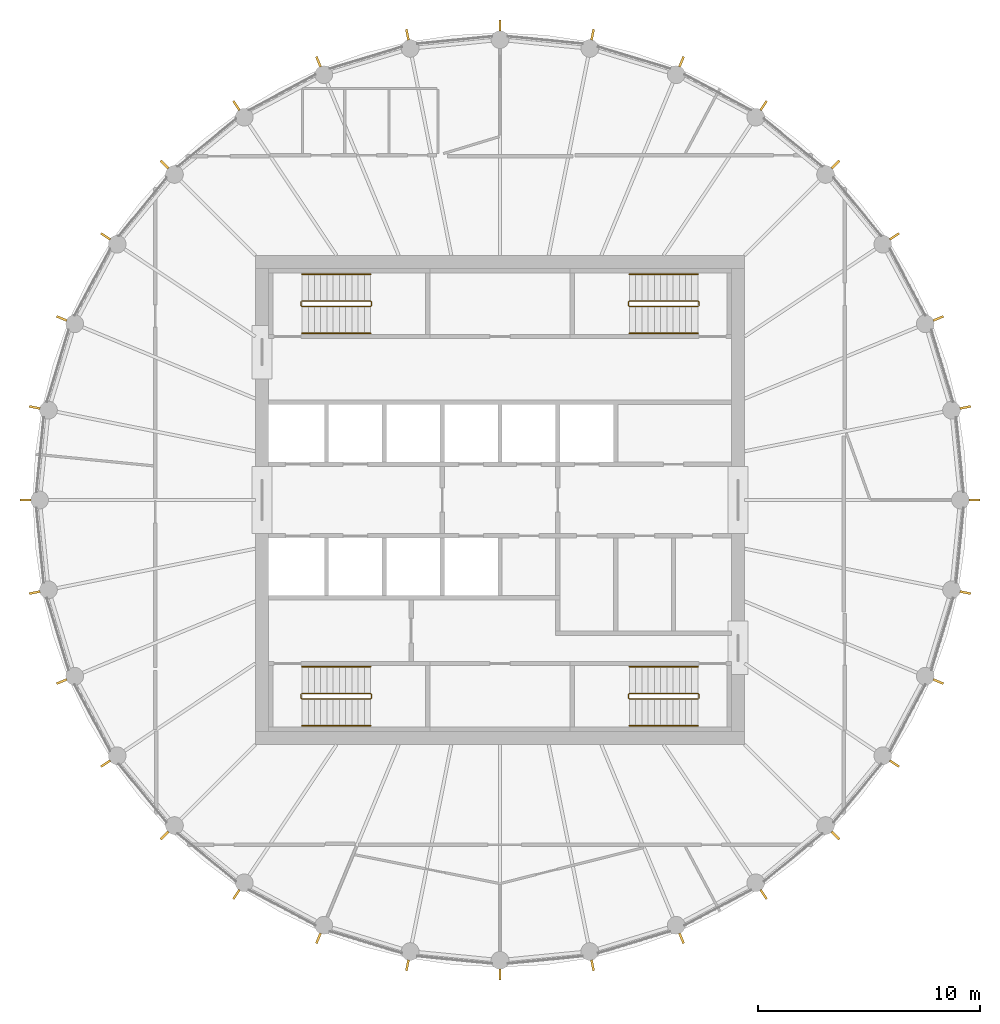
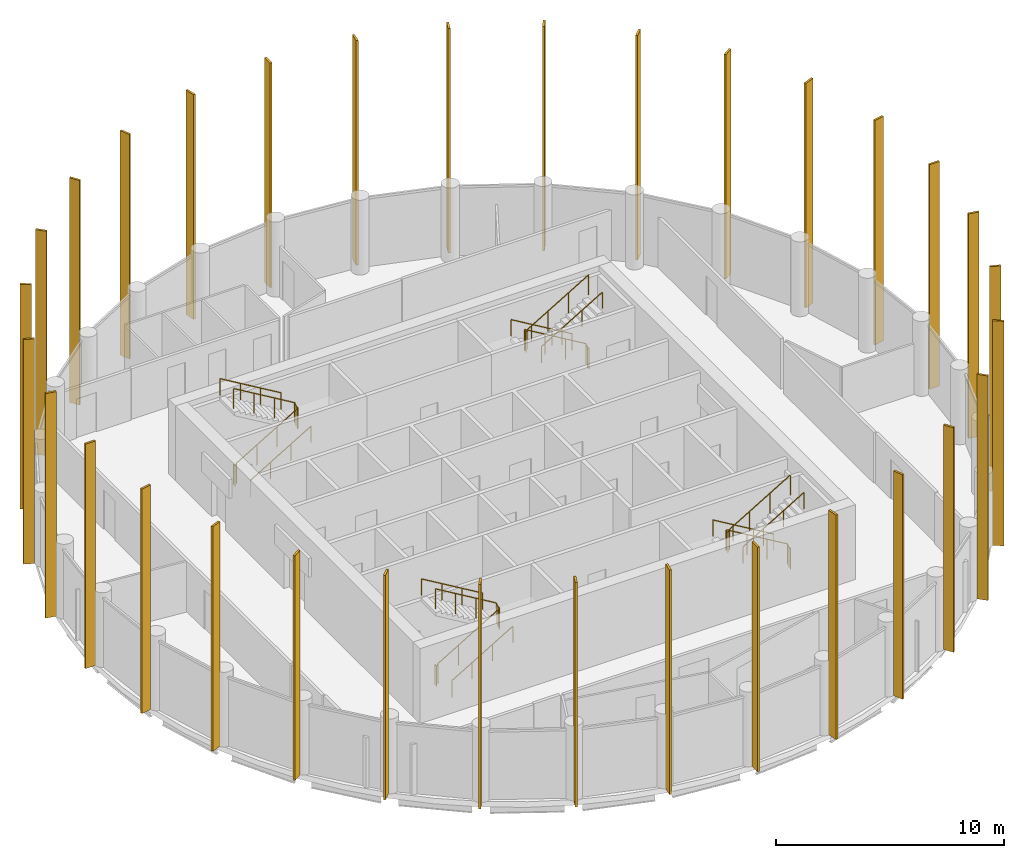
# One storey, part 7 of 7: 32 shading devices, 12 railings.
"""IFC4 building model written with IfcOpenShell, lengths in metres."""

from ifc_helpers import new_model, si_unit, direction, frame, origin, origin_2d, place, context, subcontext, project, spatial, rectangle, circle, extrude, material, material_profile, profile_set, type_object, element, save


model = new_model("IFC4")

# Units and contexts
model_context = context("Model", 3, precision=1e-05, world=origin(), true_north=direction((0.0, 1.0)))
body_context = subcontext(model_context, "Body", "Model", "MODEL_VIEW")
ifc_project = project(units=[si_unit("LENGTHUNIT", "METRE"), si_unit("AREAUNIT", "SQUARE_METRE"), si_unit("VOLUMEUNIT", "CUBIC_METRE"), si_unit("PLANEANGLEUNIT", "RADIAN"), si_unit("MASSUNIT", "GRAM", prefix="KILO")], contexts=[model_context])

# Site, building, storey
site_placement = place(None, origin())
site = spatial("IfcSite", under=ifc_project, at=site_placement, CompositionType="ELEMENT")
building_placement = place(site_placement, origin())
building = spatial("IfcBuilding", under=site, at=building_placement, Name="Corvane Civic Tower", CompositionType="ELEMENT")
storey_placement = place(building_placement, frame((0.0, 0.0, 368.5)))
storey = spatial("IfcBuildingStorey", under=building, at=storey_placement, Name="L88", CompositionType="ELEMENT", Elevation=368.5)

# Railings
ifc_material_1 = material(Name="Steel ASTM A572 Gr 50", Category="steel")
railing_type_1 = type_object("IfcRailingType", Name="ST-GUARD-1100", PredefinedType="GUARDRAIL", material=ifc_material_1)
railing_1_placement = place(storey_placement, frame((8.949951171875, 8.75, 0.0)))
element("IfcRailing", 1, at=railing_1_placement, inside=storey, type_object=railing_type_1, Name="L88 ST1 stair guard 1", PredefinedType="GUARDRAIL", context=body_context, shape_type="SweptSolid", body=[
    extrude(circle(Radius=0.02392578125, at=origin_2d()), frame((0.0, 0.0, 1.076171875), z_axis=(0.0, 1.0, 0.0), x_axis=(-1.0, 0.0, 0.0)), (0.0, 0.0, 1.0), 0.14990234375),
    extrude(circle(Radius=0.02392578125, at=origin_2d()), frame((0.0, 0.14990234375, 1.076171875), z_axis=(-0.27628659633, 0.27628659633, 0.920506074601), x_axis=(-0.707106781187, -0.707106781187, 0.0)), (0.0, 0.0, 1.0), 0.18115234375),
    extrude(circle(Radius=0.02392578125, at=origin_2d()), frame((-0.050048828125, 0.199951171875, 1.24267578125), z_axis=(-0.859290745958, 0.0, 0.51148745235), x_axis=(0.0, -1.0, 0.0)), (0.0, 0.0, 1.0), 3.584228515625),
    extrude(circle(Radius=0.02392578125, at=origin_2d()), frame((-3.1298828125, 0.199951171875, 3.076171875), z_axis=(-0.707106781187, -0.707106781187, 0.0), x_axis=(0.707106781187, -0.707106781187, 0.0)), (0.0, 0.0, 1.0), 0.07080078125),
    extrude(circle(Radius=0.02392578125, at=origin_2d()), frame((-3.179931640625, 0.14990234375, 3.076171875), z_axis=(0.0, -1.0, 0.0), x_axis=(1.0, 0.0, 0.0)), (0.0, 0.0, 1.0), 0.14990234375),
    extrude(circle(Radius=0.02392578125, at=origin_2d()), frame((-3.179931640625, 0.0, 3.076171875), z_axis=(0.27628659633, -0.27628659633, 0.920506074601), x_axis=(0.707106781187, 0.707106781187, 0.0)), (0.0, 0.0, 1.0), 0.18115234375),
    extrude(circle(Radius=0.02392578125, at=origin_2d()), frame((-3.1298828125, -0.050048828125, 3.24267578125), z_axis=(0.859290745958, 0.0, 0.51148745235), x_axis=(0.0, 1.0, 0.0)), (0.0, 0.0, 1.0), 3.584228515625),
    extrude(circle(Radius=0.02099609375, at=origin_2d()), origin(), (0.0, 0.0, 1.0), 1.052001953125),
    extrude(circle(Radius=0.02099609375, at=origin_2d()), frame((0.0, 0.14990234375, 0.0)), (0.0, 0.0, 1.0), 1.052001953125),
    extrude(circle(Radius=0.02099609375, at=origin_2d()), frame((-0.050048828125, 0.199951171875, 0.166748046875)), (0.0, 0.0, 1.0), 1.052001953125),
    extrude(circle(Radius=0.02099609375, at=origin_2d()), frame((-1.07666015625, 0.199951171875, 0.77783203125)), (0.0, 0.0, 1.0), 1.052001953125),
    extrude(circle(Radius=0.02099609375, at=origin_2d()), frame((-2.103271484375, 0.199951171875, 1.388916015625)), (0.0, 0.0, 1.0), 1.052001953125),
    extrude(circle(Radius=0.02099609375, at=origin_2d()), frame((-3.1298828125, 0.199951171875, 2.0)), (0.0, 0.0, 1.0), 1.052001953125),
    extrude(circle(Radius=0.02099609375, at=origin_2d()), frame((-3.179931640625, 0.14990234375, 2.0)), (0.0, 0.0, 1.0), 1.052001953125),
    extrude(circle(Radius=0.02099609375, at=origin_2d()), frame((-3.179931640625, 0.0, 2.0)), (0.0, 0.0, 1.0), 1.052001953125),
    extrude(circle(Radius=0.02099609375, at=origin_2d()), frame((-3.1298828125, -0.050048828125, 2.166748046875)), (0.0, 0.0, 1.0), 1.052001953125),
    extrude(circle(Radius=0.02099609375, at=origin_2d()), frame((-2.103271484375, -0.050048828125, 2.77783203125)), (0.0, 0.0, 1.0), 1.052001953125),
    extrude(circle(Radius=0.02099609375, at=origin_2d()), frame((-1.07666015625, -0.050048828125, 3.388916015625)), (0.0, 0.0, 1.0), 1.052001953125),
    extrude(circle(Radius=0.02099609375, at=origin_2d()), frame((-0.050048828125, -0.050048828125, 4.0)), (0.0, 0.0, 1.0), 1.052001953125),
])
railing_2_placement = place(storey_placement, frame((8.949951171875, -8.89990234375, 0.0)))
element("IfcRailing", 2, at=railing_2_placement, inside=storey, type_object=railing_type_1, Name="L88 ST2 stair guard 1", PredefinedType="GUARDRAIL", context=body_context, shape_type="SweptSolid", body=[
    extrude(circle(Radius=0.02392578125, at=origin_2d()), frame((0.0, 0.0, 1.076171875), z_axis=(0.0, 1.0, 0.0), x_axis=(-1.0, 0.0, 0.0)), (0.0, 0.0, 1.0), 0.14990234375),
    extrude(circle(Radius=0.02392578125, at=origin_2d()), frame((0.0, 0.14990234375, 1.076171875), z_axis=(-0.27628659633, 0.27628659633, 0.920506074601), x_axis=(-0.707106781187, -0.707106781187, 0.0)), (0.0, 0.0, 1.0), 0.18115234375),
    extrude(circle(Radius=0.02392578125, at=origin_2d()), frame((-0.050048828125, 0.199951171875, 1.24267578125), z_axis=(-0.859290745958, 0.0, 0.51148745235), x_axis=(0.0, -1.0, 0.0)), (0.0, 0.0, 1.0), 3.584228515625),
    extrude(circle(Radius=0.02392578125, at=origin_2d()), frame((-3.1298828125, 0.199951171875, 3.076171875), z_axis=(-0.707106781187, -0.707106781187, 0.0), x_axis=(0.707106781187, -0.707106781187, 0.0)), (0.0, 0.0, 1.0), 0.07080078125),
    extrude(circle(Radius=0.02392578125, at=origin_2d()), frame((-3.179931640625, 0.14990234375, 3.076171875), z_axis=(0.0, -1.0, 0.0), x_axis=(1.0, 0.0, 0.0)), (0.0, 0.0, 1.0), 0.14990234375),
    extrude(circle(Radius=0.02392578125, at=origin_2d()), frame((-3.179931640625, 0.0, 3.076171875), z_axis=(0.27628659633, -0.27628659633, 0.920506074601), x_axis=(0.707106781187, 0.707106781187, 0.0)), (0.0, 0.0, 1.0), 0.18115234375),
    extrude(circle(Radius=0.02392578125, at=origin_2d()), frame((-3.1298828125, -0.050048828125, 3.24267578125), z_axis=(0.859290745958, 0.0, 0.51148745235), x_axis=(0.0, 1.0, 0.0)), (0.0, 0.0, 1.0), 3.584228515625),
    extrude(circle(Radius=0.02099609375, at=origin_2d()), origin(), (0.0, 0.0, 1.0), 1.052001953125),
    extrude(circle(Radius=0.02099609375, at=origin_2d()), frame((0.0, 0.14990234375, 0.0)), (0.0, 0.0, 1.0), 1.052001953125),
    extrude(circle(Radius=0.02099609375, at=origin_2d()), frame((-0.050048828125, 0.199951171875, 0.166748046875)), (0.0, 0.0, 1.0), 1.052001953125),
    extrude(circle(Radius=0.02099609375, at=origin_2d()), frame((-1.07666015625, 0.199951171875, 0.77783203125)), (0.0, 0.0, 1.0), 1.052001953125),
    extrude(circle(Radius=0.02099609375, at=origin_2d()), frame((-2.103271484375, 0.199951171875, 1.388916015625)), (0.0, 0.0, 1.0), 1.052001953125),
    extrude(circle(Radius=0.02099609375, at=origin_2d()), frame((-3.1298828125, 0.199951171875, 2.0)), (0.0, 0.0, 1.0), 1.052001953125),
    extrude(circle(Radius=0.02099609375, at=origin_2d()), frame((-3.179931640625, 0.14990234375, 2.0)), (0.0, 0.0, 1.0), 1.052001953125),
    extrude(circle(Radius=0.02099609375, at=origin_2d()), frame((-3.179931640625, 0.0, 2.0)), (0.0, 0.0, 1.0), 1.052001953125),
    extrude(circle(Radius=0.02099609375, at=origin_2d()), frame((-3.1298828125, -0.050048828125, 2.166748046875)), (0.0, 0.0, 1.0), 1.052001953125),
    extrude(circle(Radius=0.02099609375, at=origin_2d()), frame((-2.103271484375, -0.050048828125, 2.77783203125)), (0.0, 0.0, 1.0), 1.052001953125),
    extrude(circle(Radius=0.02099609375, at=origin_2d()), frame((-1.07666015625, -0.050048828125, 3.388916015625)), (0.0, 0.0, 1.0), 1.052001953125),
    extrude(circle(Radius=0.02099609375, at=origin_2d()), frame((-0.050048828125, -0.050048828125, 4.0)), (0.0, 0.0, 1.0), 1.052001953125),
])
railing_3_placement = place(storey_placement, frame((-8.949951171875, -8.75, 0.0)))
element("IfcRailing", 3, at=railing_3_placement, inside=storey, type_object=railing_type_1, Name="L88 ST3 stair guard 1", PredefinedType="GUARDRAIL", context=body_context, shape_type="SweptSolid", body=[
    extrude(circle(Radius=0.02392578125, at=origin_2d()), frame((0.0, 0.0, 1.076171875), z_axis=(0.0, -1.0, 0.0), x_axis=(1.0, 0.0, 0.0)), (0.0, 0.0, 1.0), 0.14990234375),
    extrude(circle(Radius=0.02392578125, at=origin_2d()), frame((0.0, -0.14990234375, 1.076171875), z_axis=(0.27628659633, -0.27628659633, 0.920506074601), x_axis=(0.707106781187, 0.707106781187, 0.0)), (0.0, 0.0, 1.0), 0.18115234375),
    extrude(circle(Radius=0.02392578125, at=origin_2d()), frame((0.050048828125, -0.199951171875, 1.24267578125), z_axis=(0.859290745958, 0.0, 0.51148745235), x_axis=(0.0, 1.0, 0.0)), (0.0, 0.0, 1.0), 3.584228515625),
    extrude(circle(Radius=0.02392578125, at=origin_2d()), frame((3.1298828125, -0.199951171875, 3.076171875), z_axis=(0.707106781187, 0.707106781187, 0.0), x_axis=(-0.707106781187, 0.707106781187, 0.0)), (0.0, 0.0, 1.0), 0.07080078125),
    extrude(circle(Radius=0.02392578125, at=origin_2d()), frame((3.179931640625, -0.14990234375, 3.076171875), z_axis=(0.0, 1.0, 0.0), x_axis=(-1.0, 0.0, 0.0)), (0.0, 0.0, 1.0), 0.14990234375),
    extrude(circle(Radius=0.02392578125, at=origin_2d()), frame((3.179931640625, 0.0, 3.076171875), z_axis=(-0.27628659633, 0.27628659633, 0.920506074601), x_axis=(-0.707106781187, -0.707106781187, 0.0)), (0.0, 0.0, 1.0), 0.18115234375),
    extrude(circle(Radius=0.02392578125, at=origin_2d()), frame((3.1298828125, 0.050048828125, 3.24267578125), z_axis=(-0.859290745958, 0.0, 0.51148745235), x_axis=(0.0, -1.0, 0.0)), (0.0, 0.0, 1.0), 3.584228515625),
    extrude(circle(Radius=0.02099609375, at=origin_2d()), origin(), (0.0, 0.0, 1.0), 1.052001953125),
    extrude(circle(Radius=0.02099609375, at=origin_2d()), frame((0.0, -0.14990234375, 0.0)), (0.0, 0.0, 1.0), 1.052001953125),
    extrude(circle(Radius=0.02099609375, at=origin_2d()), frame((0.050048828125, -0.199951171875, 0.166748046875)), (0.0, 0.0, 1.0), 1.052001953125),
    extrude(circle(Radius=0.02099609375, at=origin_2d()), frame((1.07666015625, -0.199951171875, 0.77783203125)), (0.0, 0.0, 1.0), 1.052001953125),
    extrude(circle(Radius=0.02099609375, at=origin_2d()), frame((2.103271484375, -0.199951171875, 1.388916015625)), (0.0, 0.0, 1.0), 1.052001953125),
    extrude(circle(Radius=0.02099609375, at=origin_2d()), frame((3.1298828125, -0.199951171875, 2.0)), (0.0, 0.0, 1.0), 1.052001953125),
    extrude(circle(Radius=0.02099609375, at=origin_2d()), frame((3.179931640625, -0.14990234375, 2.0)), (0.0, 0.0, 1.0), 1.052001953125),
    extrude(circle(Radius=0.02099609375, at=origin_2d()), frame((3.179931640625, 0.0, 2.0)), (0.0, 0.0, 1.0), 1.052001953125),
    extrude(circle(Radius=0.02099609375, at=origin_2d()), frame((3.1298828125, 0.050048828125, 2.166748046875)), (0.0, 0.0, 1.0), 1.052001953125),
    extrude(circle(Radius=0.02099609375, at=origin_2d()), frame((2.103271484375, 0.050048828125, 2.77783203125)), (0.0, 0.0, 1.0), 1.052001953125),
    extrude(circle(Radius=0.02099609375, at=origin_2d()), frame((1.07666015625, 0.050048828125, 3.388916015625)), (0.0, 0.0, 1.0), 1.052001953125),
    extrude(circle(Radius=0.02099609375, at=origin_2d()), frame((0.050048828125, 0.050048828125, 4.0)), (0.0, 0.0, 1.0), 1.052001953125),
])
railing_4_placement = place(storey_placement, frame((-8.949951171875, 8.89990234375, 0.0)))
element("IfcRailing", 4, at=railing_4_placement, inside=storey, type_object=railing_type_1, Name="L88 ST4 stair guard 1", PredefinedType="GUARDRAIL", context=body_context, shape_type="SweptSolid", body=[
    extrude(circle(Radius=0.02392578125, at=origin_2d()), frame((0.0, 0.0, 1.076171875), z_axis=(0.0, -1.0, 0.0), x_axis=(1.0, 0.0, 0.0)), (0.0, 0.0, 1.0), 0.14990234375),
    extrude(circle(Radius=0.02392578125, at=origin_2d()), frame((0.0, -0.14990234375, 1.076171875), z_axis=(0.27628659633, -0.27628659633, 0.920506074601), x_axis=(0.707106781187, 0.707106781187, 0.0)), (0.0, 0.0, 1.0), 0.18115234375),
    extrude(circle(Radius=0.02392578125, at=origin_2d()), frame((0.050048828125, -0.199951171875, 1.24267578125), z_axis=(0.859290745958, 0.0, 0.51148745235), x_axis=(0.0, 1.0, 0.0)), (0.0, 0.0, 1.0), 3.584228515625),
    extrude(circle(Radius=0.02392578125, at=origin_2d()), frame((3.1298828125, -0.199951171875, 3.076171875), z_axis=(0.707106781187, 0.707106781187, 0.0), x_axis=(-0.707106781187, 0.707106781187, 0.0)), (0.0, 0.0, 1.0), 0.07080078125),
    extrude(circle(Radius=0.02392578125, at=origin_2d()), frame((3.179931640625, -0.14990234375, 3.076171875), z_axis=(0.0, 1.0, 0.0), x_axis=(-1.0, 0.0, 0.0)), (0.0, 0.0, 1.0), 0.14990234375),
    extrude(circle(Radius=0.02392578125, at=origin_2d()), frame((3.179931640625, 0.0, 3.076171875), z_axis=(-0.27628659633, 0.27628659633, 0.920506074601), x_axis=(-0.707106781187, -0.707106781187, 0.0)), (0.0, 0.0, 1.0), 0.18115234375),
    extrude(circle(Radius=0.02392578125, at=origin_2d()), frame((3.1298828125, 0.050048828125, 3.24267578125), z_axis=(-0.859290745958, 0.0, 0.51148745235), x_axis=(0.0, -1.0, 0.0)), (0.0, 0.0, 1.0), 3.584228515625),
    extrude(circle(Radius=0.02099609375, at=origin_2d()), origin(), (0.0, 0.0, 1.0), 1.052001953125),
    extrude(circle(Radius=0.02099609375, at=origin_2d()), frame((0.0, -0.14990234375, 0.0)), (0.0, 0.0, 1.0), 1.052001953125),
    extrude(circle(Radius=0.02099609375, at=origin_2d()), frame((0.050048828125, -0.199951171875, 0.166748046875)), (0.0, 0.0, 1.0), 1.052001953125),
    extrude(circle(Radius=0.02099609375, at=origin_2d()), frame((1.07666015625, -0.199951171875, 0.77783203125)), (0.0, 0.0, 1.0), 1.052001953125),
    extrude(circle(Radius=0.02099609375, at=origin_2d()), frame((2.103271484375, -0.199951171875, 1.388916015625)), (0.0, 0.0, 1.0), 1.052001953125),
    extrude(circle(Radius=0.02099609375, at=origin_2d()), frame((3.1298828125, -0.199951171875, 2.0)), (0.0, 0.0, 1.0), 1.052001953125),
    extrude(circle(Radius=0.02099609375, at=origin_2d()), frame((3.179931640625, -0.14990234375, 2.0)), (0.0, 0.0, 1.0), 1.052001953125),
    extrude(circle(Radius=0.02099609375, at=origin_2d()), frame((3.179931640625, 0.0, 2.0)), (0.0, 0.0, 1.0), 1.052001953125),
    extrude(circle(Radius=0.02099609375, at=origin_2d()), frame((3.1298828125, 0.050048828125, 2.166748046875)), (0.0, 0.0, 1.0), 1.052001953125),
    extrude(circle(Radius=0.02099609375, at=origin_2d()), frame((2.103271484375, 0.050048828125, 2.77783203125)), (0.0, 0.0, 1.0), 1.052001953125),
    extrude(circle(Radius=0.02099609375, at=origin_2d()), frame((1.07666015625, 0.050048828125, 3.388916015625)), (0.0, 0.0, 1.0), 1.052001953125),
    extrude(circle(Radius=0.02099609375, at=origin_2d()), frame((0.050048828125, 0.050048828125, 4.0)), (0.0, 0.0, 1.0), 1.052001953125),
])
ifc_material_2 = material(Name="Steel ASTM A572 Gr 50", Category="steel")
railing_type_2 = type_object("IfcRailingType", Name="ST-HANDRAIL-900", PredefinedType="HANDRAIL", material=ifc_material_2)
railing_5_placement = place(storey_placement, frame((8.89990234375, 10.14990234375, 0.166748046875)))
element("IfcRailing", 5, at=railing_5_placement, inside=storey, type_object=railing_type_2, Name="L88 ST1 stair handrail 1", PredefinedType="HANDRAIL", context=body_context, shape_type="SweptSolid", body=[
    extrude(circle(Radius=0.02392578125, at=origin_2d()), frame((0.0, 0.0, 0.8759765625), z_axis=(-0.859290745958, 0.0, 0.51148745235), x_axis=(0.0, -1.0, 0.0)), (0.0, 0.0, 1.0), 3.584228515625),
    extrude(circle(Radius=0.02099609375, at=origin_2d()), origin(), (0.0, 0.0, 1.0), 0.851806640625),
    extrude(circle(Radius=0.02099609375, at=origin_2d()), frame((-1.026611328125, 0.0, 0.611083984375)), (0.0, 0.0, 1.0), 0.851806640625),
    extrude(circle(Radius=0.02099609375, at=origin_2d()), frame((-2.05322265625, 0.0, 1.22216796875)), (0.0, 0.0, 1.0), 0.851806640625),
    extrude(circle(Radius=0.02099609375, at=origin_2d()), frame((-3.079833984375, 0.0, 1.833251953125)), (0.0, 0.0, 1.0), 0.851806640625),
])
railing_6_placement = place(storey_placement, frame((5.820068359375, 7.5, 2.166748046875)))
element("IfcRailing", 6, at=railing_6_placement, inside=storey, type_object=railing_type_2, Name="L88 ST1 stair handrail 2", PredefinedType="HANDRAIL", context=body_context, shape_type="SweptSolid", body=[
    extrude(circle(Radius=0.02392578125, at=origin_2d()), frame((0.0, 0.0, 0.8759765625), z_axis=(0.859290745958, 0.0, 0.51148745235), x_axis=(0.0, 1.0, 0.0)), (0.0, 0.0, 1.0), 3.584228515625),
    extrude(circle(Radius=0.02099609375, at=origin_2d()), origin(), (0.0, 0.0, 1.0), 0.851806640625),
    extrude(circle(Radius=0.02099609375, at=origin_2d()), frame((1.026611328125, 0.0, 0.611083984375)), (0.0, 0.0, 1.0), 0.851806640625),
    extrude(circle(Radius=0.02099609375, at=origin_2d()), frame((2.05322265625, 0.0, 1.22216796875)), (0.0, 0.0, 1.0), 0.851806640625),
    extrude(circle(Radius=0.02099609375, at=origin_2d()), frame((3.079833984375, 0.0, 1.833251953125)), (0.0, 0.0, 1.0), 0.851806640625),
])
railing_7_placement = place(storey_placement, frame((8.89990234375, -7.5, 0.166748046875)))
element("IfcRailing", 7, at=railing_7_placement, inside=storey, type_object=railing_type_2, Name="L88 ST2 stair handrail 1", PredefinedType="HANDRAIL", context=body_context, shape_type="SweptSolid", body=[
    extrude(circle(Radius=0.02392578125, at=origin_2d()), frame((0.0, 0.0, 0.8759765625), z_axis=(-0.859290745958, 0.0, 0.51148745235), x_axis=(0.0, -1.0, 0.0)), (0.0, 0.0, 1.0), 3.584228515625),
    extrude(circle(Radius=0.02099609375, at=origin_2d()), origin(), (0.0, 0.0, 1.0), 0.851806640625),
    extrude(circle(Radius=0.02099609375, at=origin_2d()), frame((-1.026611328125, 0.0, 0.611083984375)), (0.0, 0.0, 1.0), 0.851806640625),
    extrude(circle(Radius=0.02099609375, at=origin_2d()), frame((-2.05322265625, 0.0, 1.22216796875)), (0.0, 0.0, 1.0), 0.851806640625),
    extrude(circle(Radius=0.02099609375, at=origin_2d()), frame((-3.079833984375, 0.0, 1.833251953125)), (0.0, 0.0, 1.0), 0.851806640625),
])
for number, where, name in (
    (8, (5.820068359375, -10.14990234375, 2.166748046875), "L88 ST2 stair handrail 2"),
    (9, (-8.89990234375, -10.14990234375, 0.166748046875), "L88 ST3 stair handrail 1"),
):
    element("IfcRailing", number, at=place(storey_placement, frame(where)), inside=storey, type_object=railing_type_2, Name=name, PredefinedType="HANDRAIL", context=body_context, shape_type="SweptSolid", body=[
        extrude(circle(Radius=0.02392578125, at=origin_2d()), frame((0.0, 0.0, 0.8759765625), z_axis=(0.859290745958, 0.0, 0.51148745235), x_axis=(0.0, 1.0, 0.0)), (0.0, 0.0, 1.0), 3.584228515625),
        extrude(circle(Radius=0.02099609375, at=origin_2d()), origin(), (0.0, 0.0, 1.0), 0.851806640625),
        extrude(circle(Radius=0.02099609375, at=origin_2d()), frame((1.026611328125, 0.0, 0.611083984375)), (0.0, 0.0, 1.0), 0.851806640625),
        extrude(circle(Radius=0.02099609375, at=origin_2d()), frame((2.05322265625, 0.0, 1.22216796875)), (0.0, 0.0, 1.0), 0.851806640625),
        extrude(circle(Radius=0.02099609375, at=origin_2d()), frame((3.079833984375, 0.0, 1.833251953125)), (0.0, 0.0, 1.0), 0.851806640625),
    ])
railing_8_placement = place(storey_placement, frame((-5.820068359375, -7.5, 2.166748046875)))
element("IfcRailing", 10, at=railing_8_placement, inside=storey, type_object=railing_type_2, Name="L88 ST3 stair handrail 2", PredefinedType="HANDRAIL", context=body_context, shape_type="SweptSolid", body=[
    extrude(circle(Radius=0.02392578125, at=origin_2d()), frame((0.0, 0.0, 0.8759765625), z_axis=(-0.859290745958, 0.0, 0.51148745235), x_axis=(0.0, -1.0, 0.0)), (0.0, 0.0, 1.0), 3.584228515625),
    extrude(circle(Radius=0.02099609375, at=origin_2d()), origin(), (0.0, 0.0, 1.0), 0.851806640625),
    extrude(circle(Radius=0.02099609375, at=origin_2d()), frame((-1.026611328125, 0.0, 0.611083984375)), (0.0, 0.0, 1.0), 0.851806640625),
    extrude(circle(Radius=0.02099609375, at=origin_2d()), frame((-2.05322265625, 0.0, 1.22216796875)), (0.0, 0.0, 1.0), 0.851806640625),
    extrude(circle(Radius=0.02099609375, at=origin_2d()), frame((-3.079833984375, 0.0, 1.833251953125)), (0.0, 0.0, 1.0), 0.851806640625),
])
railing_9_placement = place(storey_placement, frame((-8.89990234375, 7.5, 0.166748046875)))
element("IfcRailing", 11, at=railing_9_placement, inside=storey, type_object=railing_type_2, Name="L88 ST4 stair handrail 1", PredefinedType="HANDRAIL", context=body_context, shape_type="SweptSolid", body=[
    extrude(circle(Radius=0.02392578125, at=origin_2d()), frame((0.0, 0.0, 0.8759765625), z_axis=(0.859290745958, 0.0, 0.51148745235), x_axis=(0.0, 1.0, 0.0)), (0.0, 0.0, 1.0), 3.584228515625),
    extrude(circle(Radius=0.02099609375, at=origin_2d()), origin(), (0.0, 0.0, 1.0), 0.851806640625),
    extrude(circle(Radius=0.02099609375, at=origin_2d()), frame((1.026611328125, 0.0, 0.611083984375)), (0.0, 0.0, 1.0), 0.851806640625),
    extrude(circle(Radius=0.02099609375, at=origin_2d()), frame((2.05322265625, 0.0, 1.22216796875)), (0.0, 0.0, 1.0), 0.851806640625),
    extrude(circle(Radius=0.02099609375, at=origin_2d()), frame((3.079833984375, 0.0, 1.833251953125)), (0.0, 0.0, 1.0), 0.851806640625),
])
railing_10_placement = place(storey_placement, frame((-5.820068359375, 10.14990234375, 2.166748046875)))
element("IfcRailing", 12, at=railing_10_placement, inside=storey, type_object=railing_type_2, Name="L88 ST4 stair handrail 2", PredefinedType="HANDRAIL", context=body_context, shape_type="SweptSolid", body=[
    extrude(circle(Radius=0.02392578125, at=origin_2d()), frame((0.0, 0.0, 0.8759765625), z_axis=(-0.859290745958, 0.0, 0.51148745235), x_axis=(0.0, -1.0, 0.0)), (0.0, 0.0, 1.0), 3.584228515625),
    extrude(circle(Radius=0.02099609375, at=origin_2d()), origin(), (0.0, 0.0, 1.0), 0.851806640625),
    extrude(circle(Radius=0.02099609375, at=origin_2d()), frame((-1.026611328125, 0.0, 0.611083984375)), (0.0, 0.0, 1.0), 0.851806640625),
    extrude(circle(Radius=0.02099609375, at=origin_2d()), frame((-2.05322265625, 0.0, 1.22216796875)), (0.0, 0.0, 1.0), 0.851806640625),
    extrude(circle(Radius=0.02099609375, at=origin_2d()), frame((-3.079833984375, 0.0, 1.833251953125)), (0.0, 0.0, 1.0), 0.851806640625),
])

# Shading devices
ifc_material_3 = material(Name="Anodised aluminium bronze", Category="aluminium")
ifc_material_profile = material_profile(ifc_material_3, rectangle(XDim=0.10009765625, YDim=0.5, at=origin_2d()), Name="TOWER FIN STACK 100x500 BRONZE")
ifc_profile_set = profile_set([ifc_material_profile], Name="Anodised aluminium bronze")
shading_device_type = type_object("IfcShadingDeviceType", Name="TOWER FIN STACK 100x500 BRONZE", PredefinedType="USERDEFINED", material=ifc_profile_set)
for number, where, z_axis, x_axis, name in (
    (13, (0.0, 21.330078125, 0.0), (0.0, 0.0, 1.0), (1.0, 0.0, 0.0), "Fin 01 L88 to L90"),
    (14, (4.161376953125, 20.920166015625, 0.0), (0.0, 0.0, 1.0), (0.980785280403, -0.195090322016, 0.0), "Fin 02 L88 to L90"),
    (15, (8.16259765625, 19.706298828125, 0.0), (0.0, 0.0, 1.0), (0.923879532511, -0.382683432365, 0.0), "Fin 03 L88 to L90"),
    (16, (11.850341796875, 17.7353515625, 0.0), (0.0, 0.0, 1.0), (0.831469612303, -0.55557023302, 0.0), "Fin 04 L88 to L90"),
    (17, (15.08251953125, 15.08251953125, 0.0), (0.0, 0.0, 1.0), (0.707106781187, -0.707106781187, 0.0), "Fin 05 L88 to L90"),
    (18, (17.7353515625, 11.850341796875, 0.0), (0.0, 0.0, 1.0), (0.55557023302, -0.831469612303, 0.0), "Fin 06 L88 to L90"),
    (19, (19.706298828125, 8.16259765625, 0.0), (0.0, 0.0, 1.0), (0.382683432365, -0.923879532511, 0.0), "Fin 07 L88 to L90"),
    (20, (20.920166015625, 4.161376953125, 0.0), (0.0, 0.0, 1.0), (0.195090322016, -0.980785280403, 0.0), "Fin 08 L88 to L90"),
    (21, (21.330078125, 0.0, 0.0), (0.0, 0.0, 1.0), (0.0, -1.0, 0.0), "Fin 09 L88 to L90"),
    (22, (20.920166015625, -4.161376953125, 0.0), (0.0, 0.0, 1.0), (-0.195090322016, -0.980785280403, 0.0), "Fin 10 L88 to L90"),
    (23, (19.706298828125, -8.16259765625, 0.0), (0.0, 0.0, 1.0), (-0.382683432365, -0.923879532511, 0.0), "Fin 11 L88 to L90"),
    (24, (17.7353515625, -11.850341796875, 0.0), (0.0, 0.0, 1.0), (-0.55557023302, -0.831469612303, 0.0), "Fin 12 L88 to L90"),
    (25, (15.08251953125, -15.08251953125, 0.0), (0.0, 0.0, 1.0), (-0.707106781187, -0.707106781187, 0.0), "Fin 13 L88 to L90"),
    (26, (11.850341796875, -17.7353515625, 0.0), (0.0, 0.0, 1.0), (-0.831469612303, -0.55557023302, 0.0), "Fin 14 L88 to L90"),
    (27, (8.16259765625, -19.706298828125, 0.0), (0.0, 0.0, 1.0), (-0.923879532511, -0.382683432365, 0.0), "Fin 15 L88 to L90"),
    (28, (4.161376953125, -20.920166015625, 0.0), (0.0, 0.0, 1.0), (-0.980785280403, -0.195090322016, 0.0), "Fin 16 L88 to L90"),
    (29, (0.0, -21.330078125, 0.0), (0.0, 0.0, 1.0), (-1.0, 0.0, 0.0), "Fin 17 L88 to L90"),
    (30, (-4.161376953125, -20.920166015625, 0.0), (0.0, 0.0, 1.0), (-0.980785280403, 0.195090322016, 0.0), "Fin 18 L88 to L90"),
    (31, (-8.16259765625, -19.706298828125, 0.0), (0.0, 0.0, 1.0), (-0.923879532511, 0.382683432365, 0.0), "Fin 19 L88 to L90"),
    (32, (-11.850341796875, -17.7353515625, 0.0), (0.0, 0.0, 1.0), (-0.831469612303, 0.55557023302, 0.0), "Fin 20 L88 to L90"),
    (33, (-15.08251953125, -15.08251953125, 0.0), (0.0, 0.0, 1.0), (-0.707106781187, 0.707106781187, 0.0), "Fin 21 L88 to L90"),
    (34, (-17.7353515625, -11.850341796875, 0.0), (0.0, 0.0, 1.0), (-0.55557023302, 0.831469612303, 0.0), "Fin 22 L88 to L90"),
    (35, (-19.706298828125, -8.16259765625, 0.0), (0.0, 0.0, 1.0), (-0.382683432365, 0.923879532511, 0.0), "Fin 23 L88 to L90"),
    (36, (-20.920166015625, -4.161376953125, 0.0), (0.0, 0.0, 1.0), (-0.195090322016, 0.980785280403, 0.0), "Fin 24 L88 to L90"),
    (37, (-21.330078125, 0.0, 0.0), (0.0, 0.0, 1.0), (0.0, 1.0, 0.0), "Fin 25 L88 to L90"),
    (38, (-20.920166015625, 4.161376953125, 0.0), (0.0, 0.0, 1.0), (0.195090322016, 0.980785280403, 0.0), "Fin 26 L88 to L90"),
    (39, (-19.706298828125, 8.16259765625, 0.0), (0.0, 0.0, 1.0), (0.382683432365, 0.923879532511, 0.0), "Fin 27 L88 to L90"),
    (40, (-17.7353515625, 11.850341796875, 0.0), (0.0, 0.0, 1.0), (0.55557023302, 0.831469612303, 0.0), "Fin 28 L88 to L90"),
    (41, (-15.08251953125, 15.08251953125, 0.0), (0.0, 0.0, 1.0), (0.707106781187, 0.707106781187, 0.0), "Fin 29 L88 to L90"),
    (42, (-11.850341796875, 17.7353515625, 0.0), (0.0, 0.0, 1.0), (0.831469612303, 0.55557023302, 0.0), "Fin 30 L88 to L90"),
    (43, (-8.16259765625, 19.706298828125, 0.0), (0.0, 0.0, 1.0), (0.923879532511, 0.382683432365, 0.0), "Fin 31 L88 to L90"),
    (44, (-4.161376953125, 20.920166015625, 0.0), (0.0, 0.0, 1.0), (0.980785280403, 0.195090322016, 0.0), "Fin 32 L88 to L90"),
):
    element("IfcShadingDevice", number, at=place(storey_placement, frame(where, z_axis=z_axis, x_axis=x_axis)), inside=storey, type_object=shading_device_type, Name=name, ObjectType="FIN", PredefinedType="USERDEFINED", context=body_context, shape_type="SweptSolid", body=[
        extrude(rectangle(XDim=0.10009765625, YDim=0.5, at=origin_2d()), origin(), (0.0, 0.0, 1.0), 12.0),
    ])

save(model, "model.ifc")
